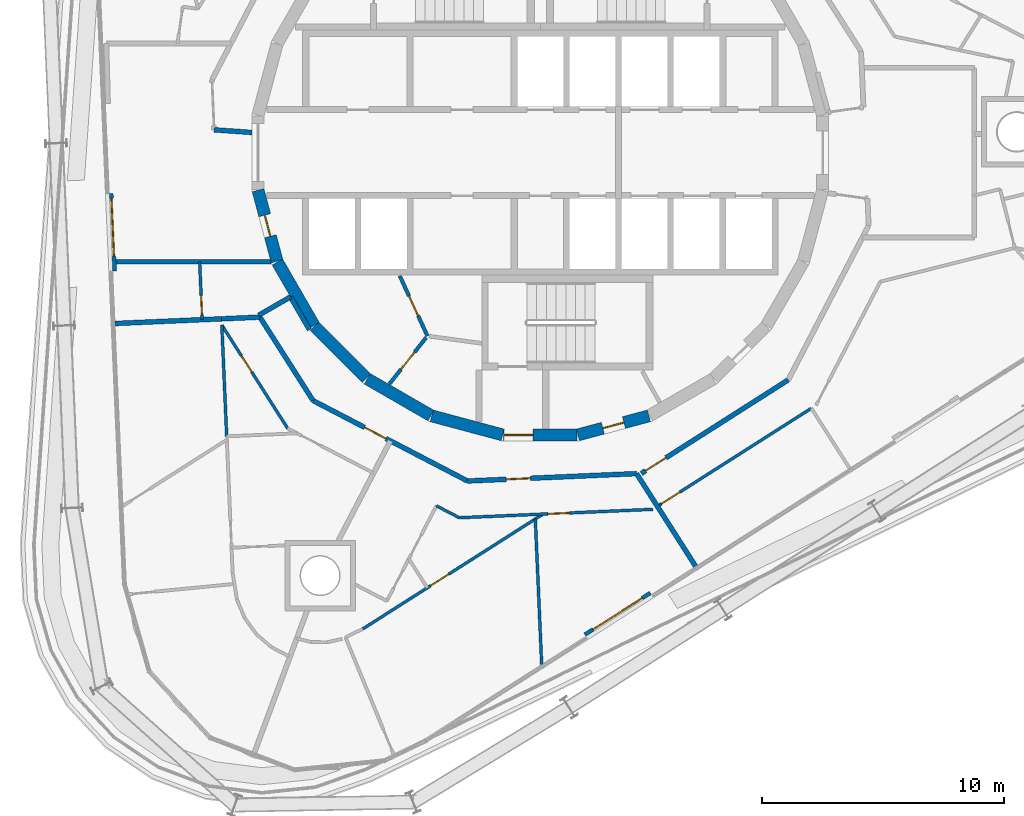
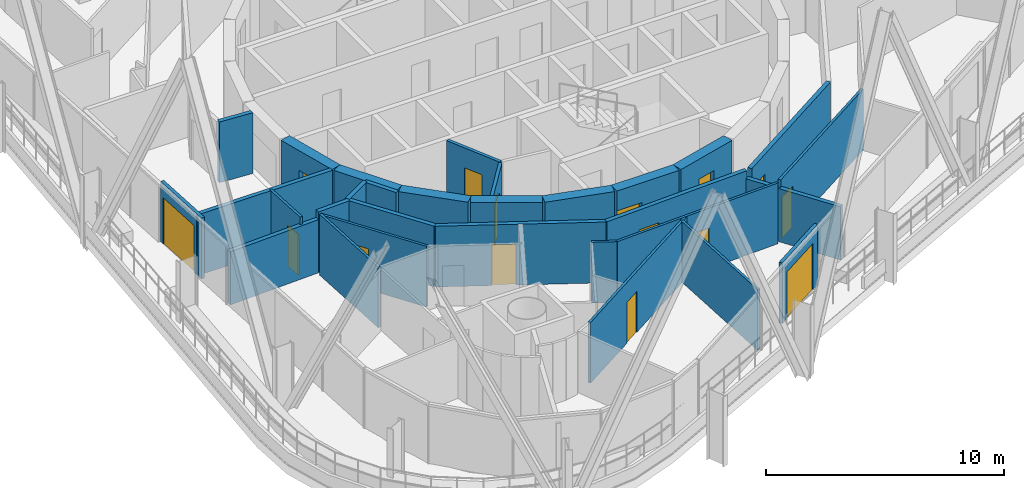
# One storey, part 12 of 20: 30 walls, 15 doors, 15 openings.
"""IFC4 building model written with IfcOpenShell, lengths in metres."""

from ifc_helpers import new_model, si_unit, direction, frame, frame_2d, origin, place, context, subcontext, project, spatial, rectangle, extrude, material, layer, layer_set, type_object, element, fill, save


model = new_model("IFC4")

# Units and contexts
model_context = context("Model", 3, precision=1e-05, world=origin(), true_north=direction((0.0, 1.0)))
body_context = subcontext(model_context, "Body", "Model", "MODEL_VIEW")
ifc_project = project(units=[si_unit("LENGTHUNIT", "METRE"), si_unit("AREAUNIT", "SQUARE_METRE"), si_unit("VOLUMEUNIT", "CUBIC_METRE"), si_unit("PLANEANGLEUNIT", "RADIAN"), si_unit("MASSUNIT", "GRAM", prefix="KILO")], contexts=[model_context])

# Site, building, storey
site_placement = place(None, origin())
site = spatial("IfcSite", under=ifc_project, at=site_placement, CompositionType="ELEMENT")
building_placement = place(site_placement, origin())
building = spatial("IfcBuilding", under=site, at=building_placement, Name="Spindle Arch Residences", CompositionType="ELEMENT")
storey_placement = place(building_placement, frame((0.0, 0.0, 226.699951171875)))
storey = spatial("IfcBuildingStorey", under=building, at=storey_placement, Name="L57", CompositionType="ELEMENT", Elevation=226.699951171875)

# Wall, opening, door
ifc_material_1 = material(Name="Concrete C50/60", Category="concrete")
ifc_layer_1 = layer(ifc_material_1, 0.5)
ifc_layer_set_1 = layer_set([ifc_layer_1], Name="Core outline wall 500")
wall_type_1 = type_object("IfcWallType", Name="Core outline wall 500", PredefinedType="SHEAR", material=ifc_layer_set_1)
wall_1_placement = place(storey_placement, frame((1.5498046875, -11.642822265625, 0.0), z_axis=(0.0, 0.0, 1.0), x_axis=(0.965948410781, 0.258734743916, 0.0)))
wall_1 = element("IfcWall", 1, at=wall_1_placement, inside=storey, type_object=wall_type_1, Name="Core outline wall 1", PredefinedType="SHEAR", context=body_context, shape_type="SweptSolid", body=[
    extrude(rectangle(XDim=3.03271484375, YDim=0.5, at=frame_2d((1.516357421875, 0.0))), origin(), (0.0, 0.0, 1.0), 3.1201171875),
])
opening_1_placement = place(wall_1_placement, frame((1.06640625, 0.0, 0.0)))
opening_1 = element("IfcOpeningElement", 2, at=opening_1_placement, cuts=wall_1, Name="Opening R6A0-WD09", PredefinedType="OPENING", context=body_context, shape_type="SweptSolid", body=[
    extrude(rectangle(XDim=0.89990234375, YDim=2.10009765625, at=frame_2d((0.449951171875, 1.050048828125))), frame((0.0, 0.260009765625, 0.0), z_axis=(0.0, -1.0, 0.0), x_axis=(1.0, 0.0, 0.0)), (0.0, 0.0, 1.0), 0.52001953125),
])
ifc_material_2 = material(Name="Steel, fire-resisting door", Category="steel")
door_type_1 = type_object("IfcDoorType", Name="Service room door 900x2100", OperationType="SINGLE_SWING_LEFT", PredefinedType="DOOR", material=ifc_material_2)
door_1_placement = place(opening_1_placement, origin())
door_1 = element("IfcDoor", 3, at=door_1_placement, inside=storey, type_object=door_type_1, Name="Service room door R6A0-WD09", OperationType="SINGLE_SWING_LEFT", OverallHeight=2.10009765625, OverallWidth=0.89990234375, PredefinedType="DOOR", context=body_context, shape_type="SweptSolid", body=[
    extrude(rectangle(XDim=0.89990234375, YDim=2.10009765625, at=frame_2d((0.449951171875, 1.050048828125))), frame((0.0, 0.02490234375, 0.0), z_axis=(0.0, -1.0, 0.0), x_axis=(1.0, 0.0, 0.0)), (0.0, 0.0, 1.0), 0.050048828125),
])
fill(opening_1, door_1)

wall_2_placement = place(storey_placement, frame((-11.642822265625, -1.5498046875, 0.0), z_axis=(0.0, 0.0, 1.0), x_axis=(0.258734743916, -0.965948410781, 0.0)))
wall_2 = element("IfcWall", 4, at=wall_2_placement, inside=storey, type_object=wall_type_1, Name="Core outline wall 19", PredefinedType="SHEAR", context=body_context, shape_type="SweptSolid", body=[
    extrude(rectangle(XDim=3.03271484375, YDim=0.5, at=frame_2d((1.516357421875, 0.0))), origin(), (0.0, 0.0, 1.0), 3.1201171875),
])
opening_2_placement = place(wall_2_placement, frame((1.06640625, 0.0, 0.0)))
opening_2 = element("IfcOpeningElement", 5, at=opening_2_placement, cuts=wall_2, Name="Opening R6A0-WD10", PredefinedType="OPENING", context=body_context, shape_type="SweptSolid", body=[
    extrude(rectangle(XDim=0.89990234375, YDim=2.10009765625, at=frame_2d((0.449951171875, 1.050048828125))), frame((0.0, 0.260009765625, 0.0), z_axis=(0.0, -1.0, 0.0), x_axis=(1.0, 0.0, 0.0)), (0.0, 0.0, 1.0), 0.52001953125),
])
door_2_placement = place(opening_2_placement, origin())
door_2 = element("IfcDoor", 6, at=door_2_placement, inside=storey, type_object=door_type_1, Name="Service room door R6A0-WD10", OperationType="SINGLE_SWING_RIGHT", OverallHeight=2.10009765625, OverallWidth=0.89990234375, PredefinedType="DOOR", context=body_context, shape_type="SweptSolid", body=[
    extrude(rectangle(XDim=0.89990234375, YDim=2.10009765625, at=frame_2d((0.449951171875, 1.050048828125))), frame((0.0, 0.02490234375, 0.0), z_axis=(0.0, -1.0, 0.0), x_axis=(1.0, 0.0, 0.0)), (0.0, 0.0, 1.0), 0.050048828125),
])
fill(opening_2, door_2)

# Walls
wall_3_placement = place(storey_placement, frame((-10.84521484375, -4.510498046875, 0.0), z_axis=(0.0, 0.0, 1.0), x_axis=(0.500087131594, -0.865975092491, 0.0)))
element("IfcWall", 7, at=wall_3_placement, inside=storey, type_object=wall_type_1, Name="Core outline wall 20", PredefinedType="SHEAR", context=body_context, shape_type="SweptSolid", body=[
    extrude(rectangle(XDim=3.03271484375, YDim=0.5, at=frame_2d((1.516357421875, 0.0))), origin(), (0.0, 0.0, 1.0), 3.1201171875),
])
wall_4_placement = place(storey_placement, frame((-9.30810546875, -7.163818359375, 0.0), z_axis=(0.0, 0.0, 1.0), x_axis=(0.707106781187, -0.707106781187, 0.0)))
element("IfcWall", 8, at=wall_4_placement, inside=storey, type_object=wall_type_1, Name="Core outline wall 21", PredefinedType="SHEAR", context=body_context, shape_type="SweptSolid", body=[
    extrude(rectangle(XDim=3.032470703125, YDim=0.5, at=frame_2d((1.51611328125, 0.0))), origin(), (0.0, 0.0, 1.0), 3.1201171875),
])
for number, where, z_axis, x_axis, name in (
    (9, (-7.13671875, -9.32861328125, 0.0), (0.0, 0.0, 1.0), (0.865975092491, -0.500087131594, 0.0), "Core outline wall 22"),
    (10, (-4.479248046875, -10.858154296875, 0.0), (0.0, 0.0, 1.0), (0.965948410781, -0.258734743916, 0.0), "Core outline wall 23"),
):
    element("IfcWall", number, at=place(storey_placement, frame(where, z_axis=z_axis, x_axis=x_axis)), inside=storey, type_object=wall_type_1, Name=name, PredefinedType="SHEAR", context=body_context, shape_type="SweptSolid", body=[
        extrude(rectangle(XDim=3.03271484375, YDim=0.5, at=frame_2d((1.516357421875, 0.0))), origin(), (0.0, 0.0, 1.0), 3.1201171875),
    ])

# Wall, opening, door
wall_5_placement = place(storey_placement, frame((-1.516357421875, -11.647216796875, 0.0), z_axis=(0.0, 0.0, 1.0), x_axis=(1.0, 0.0, 0.0)))
wall_5 = element("IfcWall", 11, at=wall_5_placement, inside=storey, type_object=wall_type_1, Name="Core outline wall 24", PredefinedType="SHEAR", context=body_context, shape_type="SweptSolid", body=[
    extrude(rectangle(XDim=3.03271484375, YDim=0.5, at=frame_2d((1.516357421875, 0.0))), origin(), (0.0, 0.0, 1.0), 3.1201171875),
])
opening_3_placement = place(wall_5_placement, frame((0.016357421875, 0.0, 0.0)))
opening_3 = element("IfcOpeningElement", 12, at=opening_3_placement, cuts=wall_5, Name="Opening R6A0-AD03", PredefinedType="OPENING", context=body_context, shape_type="SweptSolid", body=[
    extrude(rectangle(XDim=1.199951171875, YDim=2.10009765625, at=frame_2d((0.60009765625, 1.050048828125))), frame((0.0, 0.260009765625, 0.0), z_axis=(0.0, -1.0, 0.0), x_axis=(1.0, 0.0, 0.0)), (0.0, 0.0, 1.0), 0.52001953125),
])
ifc_material_3 = material(Name="Steel, fire-resisting door", Category="steel")
door_type_2 = type_object("IfcDoorType", Name="Stair airlock door 1200x2100", OperationType="SINGLE_SWING_LEFT", PredefinedType="DOOR", material=ifc_material_3)
door_3_placement = place(opening_3_placement, origin())
door_3 = element("IfcDoor", 13, at=door_3_placement, inside=storey, type_object=door_type_2, Name="Stair airlock door R6A0-AD03", OperationType="SINGLE_SWING_RIGHT", OverallHeight=2.10009765625, OverallWidth=1.199951171875, PredefinedType="DOOR", context=body_context, shape_type="SweptSolid", body=[
    extrude(rectangle(XDim=1.199951171875, YDim=2.10009765625, at=frame_2d((0.60009765625, 1.050048828125))), frame((0.0, 0.02490234375, 0.0), z_axis=(0.0, -1.0, 0.0), x_axis=(1.0, 0.0, 0.0)), (0.0, 0.0, 1.0), 0.050048828125),
])
fill(opening_3, door_3)

# Walls
ifc_material_4 = material(Name="Calcium silicate block, plastered")
ifc_layer_2 = layer(ifc_material_4, 0.199951171875)
ifc_layer_set_2 = layer_set([ifc_layer_2], Name="Corridor wall 200")
wall_type_2 = type_object("IfcWallType", Name="Corridor wall 200", PredefinedType="STANDARD", material=ifc_layer_set_2)
wall_6_placement = place(storey_placement, frame((-10.303466796875, -5.94873046875, 0.0), z_axis=(0.0, 0.0, 1.0), x_axis=(-0.866043382451, -0.499968858743, 0.0)))
element("IfcWall", 14, at=wall_6_placement, inside=storey, type_object=wall_type_2, Name="Corridor wall R6A0-W016", PredefinedType="STANDARD", context=body_context, shape_type="SweptSolid", body=[
    extrude(rectangle(XDim=1.51513671875, YDim=0.199951171875, at=frame_2d((0.757568359375, 0.0))), origin(), (0.0, 0.0, 1.0), 3.1201171875),
])
wall_7_placement = place(storey_placement, frame((-9.520263671875, -7.30517578125, 0.0), z_axis=(0.0, 0.0, 1.0), x_axis=(-0.500028278809, 0.866009076391, 0.0)))
element("IfcWall", 15, at=wall_7_placement, inside=storey, type_object=wall_type_2, Name="Corridor wall R6A0-W017", PredefinedType="STANDARD", context=body_context, shape_type="SweptSolid", body=[
    extrude(rectangle(XDim=1.56640625, YDim=0.199951171875, at=frame_2d((0.783203125, 0.0))), origin(), (0.0, 0.0, 1.0), 3.1201171875),
])
wall_8_placement = place(storey_placement, frame((-11.565185546875, -6.785888671875, 0.0), z_axis=(0.0, 0.0, 1.0), x_axis=(0.537297327359, -0.843392898958, 0.0)))
element("IfcWall", 16, at=wall_8_placement, inside=storey, type_object=wall_type_2, Name="Corridor wall R6A0-W018", PredefinedType="STANDARD", context=body_context, shape_type="SweptSolid", body=[
    extrude(rectangle(XDim=4.081298828125, YDim=0.199951171875, at=frame_2d((2.04052734375, 0.0))), origin(), (0.0, 0.0, 1.0), 3.1201171875),
])

# Wall, opening, door
wall_9_placement = place(storey_placement, frame((-9.372314453125, -10.22802734375, 0.0), z_axis=(0.0, 0.0, 1.0), x_axis=(0.887005184532, -0.461759464021, 0.0)))
wall_9 = element("IfcWall", 17, at=wall_9_placement, inside=storey, type_object=wall_type_2, Name="Corridor wall R6A0-W019", PredefinedType="STANDARD", context=body_context, shape_type="SweptSolid", body=[
    extrude(rectangle(XDim=7.18115234375, YDim=0.199951171875, at=frame_2d((3.590576171875, 0.0))), origin(), (0.0, 0.0, 1.0), 3.1201171875),
])
opening_4_placement = place(wall_9_placement, frame((2.390625, 0.0, 0.0)))
opening_4 = element("IfcOpeningElement", 18, at=opening_4_placement, cuts=wall_9, Name="Opening R6A0-FD04", PredefinedType="OPENING", context=body_context, shape_type="SweptSolid", body=[
    extrude(rectangle(XDim=1.0, YDim=2.10009765625, at=frame_2d((0.5, 1.050048828125))), frame((0.0, 0.10986328125, 0.0), z_axis=(0.0, -1.0, 0.0), x_axis=(1.0, 0.0, 0.0)), (0.0, 0.0, 1.0), 0.219970703125),
])
ifc_material_5 = material(Name="Timber, fire-resisting door set", Category="wood")
door_type_3 = type_object("IfcDoorType", Name="Flat entrance door 1000x2100", OperationType="NOTDEFINED", PredefinedType="DOOR", material=ifc_material_5)
door_4_placement = place(opening_4_placement, origin())
door_4 = element("IfcDoor", 19, at=door_4_placement, inside=storey, type_object=door_type_3, Name="Flat entrance door R6A0-FD04", OperationType="SINGLE_SWING_RIGHT", OverallHeight=2.10009765625, OverallWidth=1.0, PredefinedType="DOOR", context=body_context, shape_type="SweptSolid", body=[
    extrude(rectangle(XDim=1.0, YDim=2.10009765625, at=frame_2d((0.5, 1.050048828125))), frame((0.0, 0.02490234375, 0.0), z_axis=(0.0, -1.0, 0.0), x_axis=(1.0, 0.0, 0.0)), (0.0, 0.0, 1.0), 0.050048828125),
])
fill(opening_4, door_4)

wall_10_placement = place(storey_placement, frame((-3.002685546875, -13.5439453125, 0.0), z_axis=(0.0, 0.0, 1.0), x_axis=(0.999048221872, 0.043619380718, 0.0)))
wall_10 = element("IfcWall", 20, at=wall_10_placement, inside=storey, type_object=wall_type_2, Name="Corridor wall R6A0-W020", PredefinedType="STANDARD", context=body_context, shape_type="SweptSolid", body=[
    extrude(rectangle(XDim=6.9794921875, YDim=0.199951171875, at=frame_2d((3.48974609375, 0.0))), origin(), (0.0, 0.0, 1.0), 3.1201171875),
])
opening_5_placement = place(wall_10_placement, frame((1.60009765625, 0.0, 0.0)))
opening_5 = element("IfcOpeningElement", 21, at=opening_5_placement, cuts=wall_10, Name="Opening R6A0-FD05", PredefinedType="OPENING", context=body_context, shape_type="SweptSolid", body=[
    extrude(rectangle(XDim=1.0, YDim=2.10009765625, at=frame_2d((0.5, 1.050048828125))), frame((0.0, 0.10986328125, 0.0), z_axis=(0.0, -1.0, 0.0), x_axis=(1.0, 0.0, 0.0)), (0.0, 0.0, 1.0), 0.219970703125),
])
door_5_placement = place(opening_5_placement, origin())
door_5 = element("IfcDoor", 22, at=door_5_placement, inside=storey, type_object=door_type_3, Name="Flat entrance door R6A0-FD05", OperationType="SINGLE_SWING_LEFT", OverallHeight=2.10009765625, OverallWidth=1.0, PredefinedType="DOOR", context=body_context, shape_type="SweptSolid", body=[
    extrude(rectangle(XDim=1.0, YDim=2.10009765625, at=frame_2d((0.5, 1.050048828125))), frame((0.0, 0.02490234375, 0.0), z_axis=(0.0, -1.0, 0.0), x_axis=(1.0, 0.0, 0.0)), (0.0, 0.0, 1.0), 0.050048828125),
])
fill(opening_5, door_5)

wall_11_placement = place(storey_placement, frame((4.171630859375, -13.230712890625, 0.0), z_axis=(0.0, 0.0, 1.0), x_axis=(0.843388394728, 0.537304397561, 0.0)))
wall_11 = element("IfcWall", 23, at=wall_11_placement, inside=storey, type_object=wall_type_2, Name="Corridor wall R6A0-W021", PredefinedType="STANDARD", context=body_context, shape_type="SweptSolid", body=[
    extrude(rectangle(XDim=7.180908203125, YDim=0.199951171875, at=frame_2d((3.59033203125, 0.0))), origin(), (0.0, 0.0, 1.0), 3.1201171875),
])
opening_6_placement = place(wall_11_placement, frame((0.199951171875, 0.0, 0.0)))
opening_6 = element("IfcOpeningElement", 24, at=opening_6_placement, cuts=wall_11, Name="Opening R6A0-FD06", PredefinedType="OPENING", context=body_context, shape_type="SweptSolid", body=[
    extrude(rectangle(XDim=1.0, YDim=2.10009765625, at=frame_2d((0.5, 1.050048828125))), frame((0.0, 0.10986328125, 0.0), z_axis=(0.0, -1.0, 0.0), x_axis=(1.0, 0.0, 0.0)), (0.0, 0.0, 1.0), 0.219970703125),
])
door_6_placement = place(opening_6_placement, origin())
door_6 = element("IfcDoor", 25, at=door_6_placement, inside=storey, type_object=door_type_3, Name="Flat entrance door R6A0-FD06", OperationType="SINGLE_SWING_LEFT", OverallHeight=2.10009765625, OverallWidth=1.0, PredefinedType="DOOR", context=body_context, shape_type="SweptSolid", body=[
    extrude(rectangle(XDim=1.0, YDim=2.10009765625, at=frame_2d((0.5, 1.050048828125))), frame((0.0, 0.02490234375, 0.0), z_axis=(0.0, -1.0, 0.0), x_axis=(1.0, 0.0, 0.0)), (0.0, 0.0, 1.0), 0.050048828125),
])
fill(opening_6, door_6)

ifc_material_6 = material(Name="Plasterboard on steel studs", Category="steel")
ifc_layer_3 = layer(ifc_material_6, 0.1201171875)
ifc_layer_set_3 = layer_set([ifc_layer_3], Name="Flat partition 120")
wall_type_3 = type_object("IfcWallType", Name="Flat partition 120", PredefinedType="PARTITIONING", material=ifc_layer_set_3)
wall_12_placement = place(storey_placement, frame((-13.947021484375, -6.889892578125, 0.0), z_axis=(0.0, 0.0, 1.0), x_axis=(-0.043680814195, 0.999045537737, 0.0)))
wall_12 = element("IfcWall", 26, at=wall_12_placement, inside=storey, type_object=wall_type_3, Name="Flat partition R6A0-W083", PredefinedType="PARTITIONING", context=body_context, shape_type="SweptSolid", body=[
    extrude(rectangle(XDim=2.39208984375, YDim=0.1201171875, at=frame_2d((1.196044921875, 0.0))), origin(), (0.0, 0.0, 1.0), 3.1201171875),
])
opening_7_placement = place(wall_12_placement, frame((0.199951171875, 0.0, 0.0)))
opening_7 = element("IfcOpeningElement", 27, at=opening_7_placement, cuts=wall_12, Name="Opening R6A0-BD04", PredefinedType="OPENING", context=body_context, shape_type="SweptSolid", body=[
    extrude(rectangle(XDim=0.800048828125, YDim=2.10009765625, at=frame_2d((0.39990234375, 1.050048828125))), frame((0.0, 0.070068359375, 0.0), z_axis=(0.0, -1.0, 0.0), x_axis=(1.0, 0.0, 0.0)), (0.0, 0.0, 1.0), 0.14013671875),
])
ifc_material_7 = material(Name="Timber door set", Category="wood")
door_type_4 = type_object("IfcDoorType", Name="Bathroom door 800x2100", OperationType="NOTDEFINED", PredefinedType="DOOR", material=ifc_material_7)
door_7_placement = place(opening_7_placement, origin())
door_7 = element("IfcDoor", 28, at=door_7_placement, inside=storey, type_object=door_type_4, Name="Bathroom door R6A0-BD04", OperationType="SINGLE_SWING_LEFT", OverallHeight=2.10009765625, OverallWidth=0.800048828125, PredefinedType="DOOR", context=body_context, shape_type="SweptSolid", body=[
    extrude(rectangle(XDim=0.800048828125, YDim=2.10009765625, at=frame_2d((0.39990234375, 1.050048828125))), frame((0.0, 0.02490234375, 0.0), z_axis=(0.0, -1.0, 0.0), x_axis=(1.0, 0.0, 0.0)), (0.0, 0.0, 1.0), 0.050048828125),
])
fill(opening_7, door_7)

wall_13_placement = place(storey_placement, frame((-13.13671875, -7.11083984375, 0.0), z_axis=(0.0, 0.0, 1.0), x_axis=(0.537300549444, -0.843390846267, 0.0)))
wall_13 = element("IfcWall", 29, at=wall_13_placement, inside=storey, type_object=wall_type_3, Name="Flat partition R6A0-W084", PredefinedType="PARTITIONING", context=body_context, shape_type="SweptSolid", body=[
    extrude(rectangle(XDim=5.0537109375, YDim=0.1201171875, at=frame_2d((2.52685546875, 0.0))), origin(), (0.0, 0.0, 1.0), 3.1201171875),
])
opening_8_placement = place(wall_13_placement, frame((1.5, 0.0, 0.0)))
opening_8 = element("IfcOpeningElement", 30, at=opening_8_placement, cuts=wall_13, Name="Opening R6A0-BD05", PredefinedType="OPENING", context=body_context, shape_type="SweptSolid", body=[
    extrude(rectangle(XDim=0.800048828125, YDim=2.10009765625, at=frame_2d((0.39990234375, 1.050048828125))), frame((0.0, 0.070068359375, 0.0), z_axis=(0.0, -1.0, 0.0), x_axis=(1.0, 0.0, 0.0)), (0.0, 0.0, 1.0), 0.14013671875),
])
door_8_placement = place(opening_8_placement, origin())
door_8 = element("IfcDoor", 31, at=door_8_placement, inside=storey, type_object=door_type_4, Name="Bathroom door R6A0-BD05", OperationType="SINGLE_SWING_RIGHT", OverallHeight=2.10009765625, OverallWidth=0.800048828125, PredefinedType="DOOR", context=body_context, shape_type="SweptSolid", body=[
    extrude(rectangle(XDim=0.800048828125, YDim=2.10009765625, at=frame_2d((0.39990234375, 1.050048828125))), frame((0.0, 0.02490234375, 0.0), z_axis=(0.0, -1.0, 0.0), x_axis=(1.0, 0.0, 0.0)), (0.0, 0.0, 1.0), 0.050048828125),
])
fill(opening_8, door_8)

# Walls
wall_14_placement = place(storey_placement, frame((-12.936279296875, -11.70263671875, 0.0), z_axis=(0.0, 0.0, 1.0), x_axis=(-0.043610108597, 0.999048626658, 0.0)))
element("IfcWall", 32, at=wall_14_placement, inside=storey, type_object=wall_type_3, Name="Flat partition R6A0-W086", PredefinedType="PARTITIONING", context=body_context, shape_type="SweptSolid", body=[
    extrude(rectangle(XDim=4.59619140625, YDim=0.1201171875, at=frame_2d((2.298095703125, 0.0))), origin(), (0.0, 0.0, 1.0), 3.1201171875),
])
wall_15_placement = place(storey_placement, frame((-4.28515625, -14.5673828125, 0.0), z_axis=(0.0, 0.0, 1.0), x_axis=(0.887033177378, -0.46170568789, 0.0)))
element("IfcWall", 33, at=wall_15_placement, inside=storey, type_object=wall_type_3, Name="Flat partition R6A0-W099", PredefinedType="PARTITIONING", context=body_context, shape_type="SweptSolid", body=[
    extrude(rectangle(XDim=1.067138671875, YDim=0.1201171875, at=frame_2d((0.53369140625, 0.0))), origin(), (0.0, 0.0, 1.0), 3.1201171875),
])

# Wall, opening, door
wall_16_placement = place(storey_placement, frame((-3.338623046875, -15.06005859375, 0.0), z_axis=(0.0, 0.0, 1.0), x_axis=(0.999047716945, 0.043630943905, 0.0)))
wall_16 = element("IfcWall", 34, at=wall_16_placement, inside=storey, type_object=wall_type_3, Name="Flat partition R6A0-W100", PredefinedType="PARTITIONING", context=body_context, shape_type="SweptSolid", body=[
    extrude(rectangle(XDim=7.98486328125, YDim=0.1201171875, at=frame_2d((3.992431640625, 0.0))), origin(), (0.0, 0.0, 1.0), 3.1201171875),
])
opening_9_placement = place(wall_16_placement, frame((3.653564453125, 0.0, 0.0)))
opening_9 = element("IfcOpeningElement", 35, at=opening_9_placement, cuts=wall_16, Name="Opening R6A0-ID20", PredefinedType="OPENING", context=body_context, shape_type="SweptSolid", body=[
    extrude(rectangle(XDim=0.89990234375, YDim=2.10009765625, at=frame_2d((0.449951171875, 1.050048828125))), frame((0.0, 0.070068359375, 0.0), z_axis=(0.0, -1.0, 0.0), x_axis=(1.0, 0.0, 0.0)), (0.0, 0.0, 1.0), 0.14013671875),
])
ifc_material_8 = material(Name="Timber door set", Category="wood")
door_type_5 = type_object("IfcDoorType", Name="Room door 900x2100", OperationType="NOTDEFINED", PredefinedType="DOOR", material=ifc_material_8)
door_9_placement = place(opening_9_placement, origin())
door_9 = element("IfcDoor", 36, at=door_9_placement, inside=storey, type_object=door_type_5, Name="Room door R6A0-ID20", OperationType="SINGLE_SWING_LEFT", OverallHeight=2.10009765625, OverallWidth=0.89990234375, PredefinedType="DOOR", context=body_context, shape_type="SweptSolid", body=[
    extrude(rectangle(XDim=0.89990234375, YDim=2.10009765625, at=frame_2d((0.449951171875, 1.050048828125))), frame((0.0, 0.02490234375, 0.0), z_axis=(0.0, -1.0, 0.0), x_axis=(1.0, 0.0, 0.0)), (0.0, 0.0, 1.0), 0.050048828125),
])
fill(opening_9, door_9)

wall_17_placement = place(storey_placement, frame((-7.322021484375, -19.64501953125, 0.0), z_axis=(0.0, 0.0, 1.0), x_axis=(0.843385361817, 0.537309158188, 0.0)))
wall_17 = element("IfcWall", 37, at=wall_17_placement, inside=storey, type_object=wall_type_3, Name="Flat partition R6A0-W106", PredefinedType="PARTITIONING", context=body_context, shape_type="SweptSolid", body=[
    extrude(rectangle(XDim=8.81396484375, YDim=0.1201171875, at=frame_2d((4.406982421875, 0.0))), origin(), (0.0, 0.0, 1.0), 3.1201171875),
])
opening_10_placement = place(wall_17_placement, frame((3.314208984375, 0.0, 0.0)))
opening_10 = element("IfcOpeningElement", 38, at=opening_10_placement, cuts=wall_17, Name="Opening R6A0-ID21", PredefinedType="OPENING", context=body_context, shape_type="SweptSolid", body=[
    extrude(rectangle(XDim=0.89990234375, YDim=2.10009765625, at=frame_2d((0.449951171875, 1.050048828125))), frame((0.0, 0.070068359375, 0.0), z_axis=(0.0, -1.0, 0.0), x_axis=(1.0, 0.0, 0.0)), (0.0, 0.0, 1.0), 0.14013671875),
])
door_10_placement = place(opening_10_placement, origin())
door_10 = element("IfcDoor", 39, at=door_10_placement, inside=storey, type_object=door_type_5, Name="Room door R6A0-ID21", OperationType="SINGLE_SWING_LEFT", OverallHeight=2.10009765625, OverallWidth=0.89990234375, PredefinedType="DOOR", context=body_context, shape_type="SweptSolid", body=[
    extrude(rectangle(XDim=0.89990234375, YDim=2.10009765625, at=frame_2d((0.449951171875, 1.050048828125))), frame((0.0, 0.02490234375, 0.0), z_axis=(0.0, -1.0, 0.0), x_axis=(1.0, 0.0, 0.0)), (0.0, 0.0, 1.0), 0.050048828125),
])
fill(opening_10, door_10)

# Wall
wall_18_placement = place(storey_placement, frame((0.05615234375, -21.110107421875, 0.0), z_axis=(0.0, 0.0, 1.0), x_axis=(-0.043629559022, 0.999047777426, 0.0)))
element("IfcWall", 40, at=wall_18_placement, inside=storey, type_object=wall_type_3, Name="Flat partition R6A0-W108", PredefinedType="PARTITIONING", context=body_context, shape_type="SweptSolid", body=[
    extrude(rectangle(XDim=6.004150390625, YDim=0.1201171875, at=frame_2d((3.001953125, 0.0))), origin(), (0.0, 0.0, 1.0), 3.1201171875),
])

# Wall, opening, door
wall_19_placement = place(storey_placement, frame((4.830322265625, -14.589599609375, 0.0), z_axis=(0.0, 0.0, 1.0), x_axis=(0.843393042763, 0.537297101629, 0.0)))
wall_19 = element("IfcWall", 41, at=wall_19_placement, inside=storey, type_object=wall_type_3, Name="Flat partition R6A0-W109", PredefinedType="PARTITIONING", context=body_context, shape_type="SweptSolid", body=[
    extrude(rectangle(XDim=7.530029296875, YDim=0.1201171875, at=frame_2d((3.76513671875, 0.0))), origin(), (0.0, 0.0, 1.0), 3.1201171875),
])
opening_11_placement = place(wall_19_placement, frame((0.199951171875, 0.0, 0.0)))
opening_11 = element("IfcOpeningElement", 42, at=opening_11_placement, cuts=wall_19, Name="Opening R6A0-ID23", PredefinedType="OPENING", context=body_context, shape_type="SweptSolid", body=[
    extrude(rectangle(XDim=0.89990234375, YDim=2.10009765625, at=frame_2d((0.449951171875, 1.050048828125))), frame((0.0, 0.070068359375, 0.0), z_axis=(0.0, -1.0, 0.0), x_axis=(1.0, 0.0, 0.0)), (0.0, 0.0, 1.0), 0.14013671875),
])
door_11_placement = place(opening_11_placement, origin())
door_11 = element("IfcDoor", 43, at=door_11_placement, inside=storey, type_object=door_type_5, Name="Room door R6A0-ID23", OperationType="SINGLE_SWING_LEFT", OverallHeight=2.10009765625, OverallWidth=0.89990234375, PredefinedType="DOOR", context=body_context, shape_type="SweptSolid", body=[
    extrude(rectangle(XDim=0.89990234375, YDim=2.10009765625, at=frame_2d((0.449951171875, 1.050048828125))), frame((0.0, 0.02490234375, 0.0), z_axis=(0.0, -1.0, 0.0), x_axis=(1.0, 0.0, 0.0)), (0.0, 0.0, 1.0), 0.050048828125),
])
fill(opening_11, door_11)

# Walls
ifc_material_9 = material(Name="Calcium silicate block, plastered")
ifc_layer_4 = layer(ifc_material_9, 0.199951171875)
ifc_layer_set_4 = layer_set([ifc_layer_4], Name="Flat party wall 200")
wall_type_4 = type_object("IfcWallType", Name="Flat party wall 200", PredefinedType="STANDARD", material=ifc_layer_set_4)
wall_20_placement = place(storey_placement, frame((-13.14794921875, -6.85498046875, 0.0), z_axis=(0.0, 0.0, 1.0), x_axis=(0.999048583464, 0.043611098121, 0.0)))
element("IfcWall", 44, at=wall_20_placement, inside=storey, type_object=wall_type_4, Name="Flat party wall R6A0-W036", PredefinedType="STANDARD", context=body_context, shape_type="SweptSolid", body=[
    extrude(rectangle(XDim=1.584228515625, YDim=0.199951171875, at=frame_2d((0.7919921875, 0.0))), origin(), (0.0, 0.0, 1.0), 3.1201171875),
])
ifc_material_10 = material(Name="Calcium silicate block, plastered")
ifc_layer_5 = layer(ifc_material_10, 0.199951171875)
ifc_layer_set_5 = layer_set([ifc_layer_5], Name="Flat party wall 200 under beam 2730")
wall_type_5 = type_object("IfcWallType", Name="Flat party wall 200 under beam 2730", PredefinedType="STANDARD", material=ifc_layer_set_5)
wall_21_placement = place(storey_placement, frame((-17.543701171875, -7.047119140625, 0.0), z_axis=(0.0, 0.0, 1.0), x_axis=(0.99904608111, 0.043668384662, 0.0)))
element("IfcWall", 45, at=wall_21_placement, inside=storey, type_object=wall_type_5, Name="Flat party wall R6A0-W035", PredefinedType="STANDARD", context=body_context, shape_type="SweptSolid", body=[
    extrude(rectangle(XDim=4.39990234375, YDim=0.199951171875, at=frame_2d((2.199951171875, 0.0))), origin(), (0.0, 0.0, 1.0), 2.72998046875),
])
wall_22_placement = place(storey_placement, frame((6.406982421875, -17.064208984375, 0.0), z_axis=(0.0, 0.0, 1.0), x_axis=(-0.537324777979, 0.843375410461, 0.0)))
element("IfcWall", 46, at=wall_22_placement, inside=storey, type_object=wall_type_5, Name="Flat party wall R6A0-W040", PredefinedType="STANDARD", context=body_context, shape_type="SweptSolid", body=[
    extrude(rectangle(XDim=4.534912109375, YDim=0.199951171875, at=frame_2d((2.267578125, 0.0))), origin(), (0.0, 0.0, 1.0), 2.72998046875),
])

# Wall, opening, door
ifc_material_11 = material(Name="Non-combustible mineral wool insulated aluminium faced external wall (K0)", Category="aluminium")
ifc_layer_6 = layer(ifc_material_11, 0.159912109375)
ifc_layer_set_6 = layer_set([ifc_layer_6], Name="Insulated external wall panel 160")
wall_type_6 = type_object("IfcWallType", Name="Insulated external wall panel 160", PredefinedType="STANDARD", material=ifc_layer_set_6)
wall_23_placement = place(storey_placement, frame((-17.69775390625, -1.68359375, 0.0), z_axis=(0.0, 0.0, 1.0), x_axis=(0.043639181999, -0.999047357133, 0.0)))
wall_23 = element("IfcWall", 47, at=wall_23_placement, inside=storey, type_object=wall_type_6, Name="External wall L57 bay 15", PredefinedType="STANDARD", context=body_context, shape_type="SweptSolid", body=[
    extrude(rectangle(XDim=3.199951171875, YDim=0.159912109375, at=frame_2d((1.60009765625, 0.0))), origin(), (0.0, 0.0, 1.0), 3.1201171875),
])
opening_12_placement = place(wall_23_placement, frame((0.199951171875, 0.0, 0.0)))
opening_12 = element("IfcOpeningElement", 48, at=opening_12_placement, cuts=wall_23, Name="Opening BD15", PredefinedType="OPENING", context=body_context, shape_type="SweptSolid", body=[
    extrude(rectangle(XDim=2.39990234375, YDim=2.39990234375, at=frame_2d((1.199951171875, 1.199951171875))), frame((0.0, 0.08984375, 0.0), z_axis=(0.0, -1.0, 0.0), x_axis=(1.0, 0.0, 0.0)), (0.0, 0.0, 1.0), 0.179931640625),
])
ifc_material_12 = material(Name="Bronze aluminium frame, tinted double glazing", Category="aluminium")
door_type_6 = type_object("IfcDoorType", Name="Sliding glazed balcony door 2400x2400", OperationType="DOUBLE_DOOR_SLIDING", PredefinedType="DOOR", material=ifc_material_12)
door_12_placement = place(opening_12_placement, origin())
door_12 = element("IfcDoor", 49, at=door_12_placement, inside=storey, type_object=door_type_6, Name="Balcony door BD15", OperationType="DOUBLE_DOOR_SLIDING", OverallHeight=2.39990234375, OverallWidth=2.39990234375, PredefinedType="DOOR", context=body_context, shape_type="SweptSolid", body=[
    extrude(rectangle(XDim=2.39990234375, YDim=2.39990234375, at=frame_2d((1.199951171875, 1.199951171875))), frame((0.0, 0.02490234375, 0.0), z_axis=(0.0, -1.0, 0.0), x_axis=(1.0, 0.0, 0.0)), (0.0, 0.0, 1.0), 0.050048828125),
])
fill(opening_12, door_12)

wall_24_placement = place(storey_placement, frame((1.839111328125, -19.87939453125, 0.0), z_axis=(0.0, 0.0, 1.0), x_axis=(0.843419508298, 0.53725555653, 0.0)))
wall_24 = element("IfcWall", 50, at=wall_24_placement, inside=storey, type_object=wall_type_6, Name="External wall L57 bay 21", PredefinedType="STANDARD", context=body_context, shape_type="SweptSolid", body=[
    extrude(rectangle(XDim=3.199951171875, YDim=0.159912109375, at=frame_2d((1.60009765625, 0.0))), origin(), (0.0, 0.0, 1.0), 3.1201171875),
])
opening_13_placement = place(wall_24_placement, frame((0.39990234375, 0.0, 0.0)))
opening_13 = element("IfcOpeningElement", 51, at=opening_13_placement, cuts=wall_24, Name="Opening BD21", PredefinedType="OPENING", context=body_context, shape_type="SweptSolid", body=[
    extrude(rectangle(XDim=2.39990234375, YDim=2.39990234375, at=frame_2d((1.199951171875, 1.199951171875))), frame((0.0, 0.08984375, 0.0), z_axis=(0.0, -1.0, 0.0), x_axis=(1.0, 0.0, 0.0)), (0.0, 0.0, 1.0), 0.179931640625),
])
door_13_placement = place(opening_13_placement, origin())
door_13 = element("IfcDoor", 52, at=door_13_placement, inside=storey, type_object=door_type_6, Name="Balcony door BD21", OperationType="DOUBLE_DOOR_SLIDING", OverallHeight=2.39990234375, OverallWidth=2.39990234375, PredefinedType="DOOR", context=body_context, shape_type="SweptSolid", body=[
    extrude(rectangle(XDim=2.39990234375, YDim=2.39990234375, at=frame_2d((1.199951171875, 1.199951171875))), frame((0.0, 0.02490234375, 0.0), z_axis=(0.0, -1.0, 0.0), x_axis=(1.0, 0.0, 0.0)), (0.0, 0.0, 1.0), 0.050048828125),
])
fill(opening_13, door_13)

# Walls
ifc_material_13 = material(Name="Calcium silicate block, plastered")
ifc_layer_7 = layer(ifc_material_13, 0.199951171875)
ifc_layer_set_7 = layer_set([ifc_layer_7], Name="Lift lobby bay wall 200")
wall_type_7 = type_object("IfcWallType", Name="Lift lobby bay wall 200", PredefinedType="STANDARD", material=ifc_layer_set_7)
wall_25_placement = place(storey_placement, frame((-13.453857421875, 0.94091796875, 0.0), z_axis=(0.0, 0.0, 1.0), x_axis=(0.99755155062, -0.069934997354, 0.0)))
element("IfcWall", 53, at=wall_25_placement, inside=storey, type_object=wall_type_7, Name="Lift lobby bay wall R6A0-W009", PredefinedType="STANDARD", context=body_context, shape_type="SweptSolid", body=[
    extrude(rectangle(XDim=1.560546875, YDim=0.199951171875, at=frame_2d((0.7802734375, 0.0))), origin(), (0.0, 0.0, 1.0), 3.1201171875),
])
wall_26_placement = place(storey_placement, frame((-17.65478515625, -4.5, 0.0), z_axis=(0.0, 0.0, 1.0), x_axis=(1.0, 0.0, 0.0)))
element("IfcWall", 54, at=wall_26_placement, inside=storey, type_object=wall_type_7, Name="Lift lobby bay wall R6A0-W024", PredefinedType="STANDARD", context=body_context, shape_type="SweptSolid", body=[
    extrude(rectangle(XDim=6.54345703125, YDim=0.199951171875, at=frame_2d((3.271728515625, 0.0))), origin(), (0.0, 0.0, 1.0), 3.1201171875),
])

# Wall, opening, door
ifc_material_14 = material(Name="Concrete C25/30", Category="concrete")
ifc_layer_8 = layer(ifc_material_14, 0.14990234375)
ifc_layer_set_8 = layer_set([ifc_layer_8], Name="Service room partition 150")
wall_type_8 = type_object("IfcWallType", Name="Service room partition 150", PredefinedType="PARTITIONING", material=ifc_layer_set_8)
wall_27_placement = place(storey_placement, frame((-5.794921875, -5.086181640625, 0.0), z_axis=(0.0, 0.0, 1.0), x_axis=(0.417887867606, -0.908498613157, 0.0)))
wall_27 = element("IfcWall", 55, at=wall_27_placement, inside=storey, type_object=wall_type_8, Name="Core service room partition", PredefinedType="PARTITIONING", context=body_context, shape_type="SweptSolid", body=[
    extrude(rectangle(XDim=2.72607421875, YDim=0.14990234375, at=frame_2d((1.363037109375, 0.0))), origin(), (0.0, 0.0, 1.0), 3.1201171875),
])
opening_14_placement = place(wall_27_placement, frame((0.912841796875, 0.0, 0.0)))
opening_14 = element("IfcOpeningElement", 56, at=opening_14_placement, cuts=wall_27, Name="Opening R6A0-WD06", PredefinedType="OPENING", context=body_context, shape_type="SweptSolid", body=[
    extrude(rectangle(XDim=0.89990234375, YDim=2.10009765625, at=frame_2d((0.449951171875, 1.050048828125))), frame((0.0, 0.0849609375, 0.0), z_axis=(0.0, -1.0, 0.0), x_axis=(1.0, 0.0, 0.0)), (0.0, 0.0, 1.0), 0.169921875),
])
door_14_placement = place(opening_14_placement, origin())
door_14 = element("IfcDoor", 57, at=door_14_placement, inside=storey, type_object=door_type_1, Name="Service room door R6A0-WD06", OperationType="SINGLE_SWING_RIGHT", OverallHeight=2.10009765625, OverallWidth=0.89990234375, PredefinedType="DOOR", context=body_context, shape_type="SweptSolid", body=[
    extrude(rectangle(XDim=0.89990234375, YDim=2.10009765625, at=frame_2d((0.449951171875, 1.050048828125))), frame((0.0, 0.02490234375, 0.0), z_axis=(0.0, -1.0, 0.0), x_axis=(1.0, 0.0, 0.0)), (0.0, 0.0, 1.0), 0.050048828125),
])
fill(opening_14, door_14)

wall_28_placement = place(storey_placement, frame((-4.70556640625, -7.62548828125, 0.0), z_axis=(0.0, 0.0, 1.0), x_axis=(-0.621392599334, -0.783499353856, 0.0)))
wall_28 = element("IfcWall", 58, at=wall_28_placement, inside=storey, type_object=wall_type_8, Name="Core service room partition", PredefinedType="PARTITIONING", context=body_context, shape_type="SweptSolid", body=[
    extrude(rectangle(XDim=2.447265625, YDim=0.14990234375, at=frame_2d((1.2236328125, 0.0))), origin(), (0.0, 0.0, 1.0), 3.1201171875),
])
opening_15_placement = place(wall_28_placement, frame((0.773681640625, 0.0, 0.0)))
opening_15 = element("IfcOpeningElement", 59, at=opening_15_placement, cuts=wall_28, Name="Opening R6A0-WD07", PredefinedType="OPENING", context=body_context, shape_type="SweptSolid", body=[
    extrude(rectangle(XDim=0.89990234375, YDim=2.10009765625, at=frame_2d((0.449951171875, 1.050048828125))), frame((0.0, 0.0849609375, 0.0), z_axis=(0.0, -1.0, 0.0), x_axis=(1.0, 0.0, 0.0)), (0.0, 0.0, 1.0), 0.169921875),
])
door_15_placement = place(opening_15_placement, origin())
door_15 = element("IfcDoor", 60, at=door_15_placement, inside=storey, type_object=door_type_1, Name="Service room door R6A0-WD07", OperationType="SINGLE_SWING_LEFT", OverallHeight=2.10009765625, OverallWidth=0.89990234375, PredefinedType="DOOR", context=body_context, shape_type="SweptSolid", body=[
    extrude(rectangle(XDim=0.89990234375, YDim=2.10009765625, at=frame_2d((0.449951171875, 1.050048828125))), frame((0.0, 0.02490234375, 0.0), z_axis=(0.0, -1.0, 0.0), x_axis=(1.0, 0.0, 0.0)), (0.0, 0.0, 1.0), 0.050048828125),
])
fill(opening_15, door_15)

save(model, "model.ifc")
